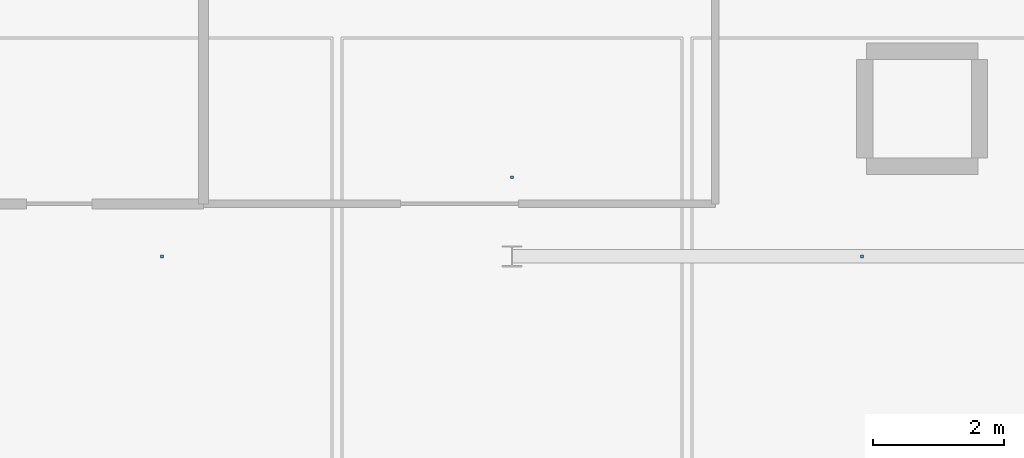
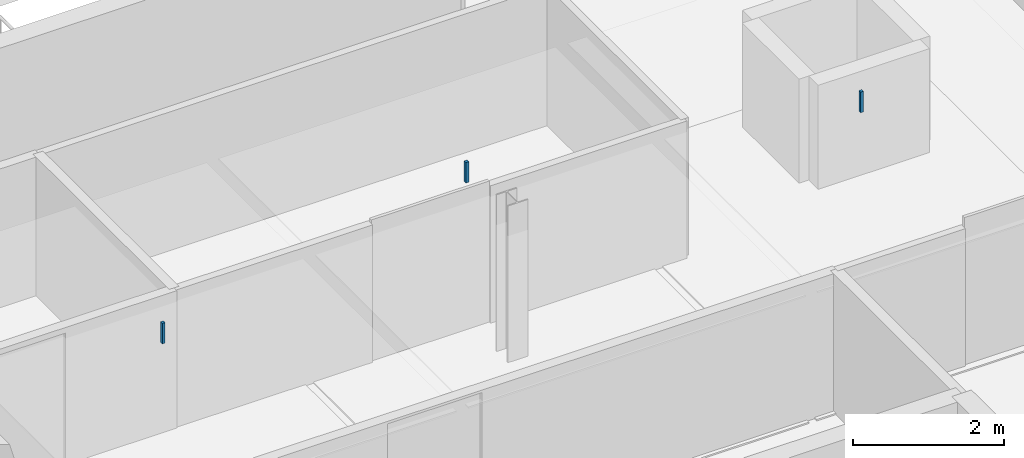
# One storey, part 15 of 16: 3 discrete accessories.
"""IFC4 building model written with IfcOpenShell, lengths in metres."""

from ifc_helpers import new_model, si_unit, direction, frame, origin, origin_2d, place, context, subcontext, project, spatial, rectangle, extrude, material, type_object, element, save


model = new_model("IFC4")

# Units and contexts
model_context = context("Model", 3, precision=1e-05, world=origin(), true_north=direction((0.0, 1.0)))
body_context = subcontext(model_context, "Body", "Model", "MODEL_VIEW")
ifc_project = project(units=[si_unit("LENGTHUNIT", "METRE"), si_unit("AREAUNIT", "SQUARE_METRE"), si_unit("VOLUMEUNIT", "CUBIC_METRE"), si_unit("PLANEANGLEUNIT", "RADIAN"), si_unit("MASSUNIT", "GRAM", prefix="KILO"), si_unit("THERMODYNAMICTEMPERATUREUNIT", "KELVIN"), si_unit("POWERUNIT", "WATT")], contexts=[model_context])

# Site, building, storey
site_placement = place(None, origin())
site = spatial("IfcSite", under=ifc_project, at=site_placement, CompositionType="ELEMENT")
building_placement = place(site_placement, origin())
building = spatial("IfcBuilding", under=site, at=building_placement, Name="Tallowbark Science Centre", CompositionType="ELEMENT")
storey_placement = place(building_placement, frame((0.0, 0.0, 23.39990234375)))
storey = spatial("IfcBuildingStorey", under=building, at=storey_placement, Name="L05", CompositionType="ELEMENT", Elevation=23.39990234375)

# Discrete accessories
ifc_material = material(Name="Galvanised Steel Grade C350L0 (350 MPa)", Category="steel")
discrete_accessory_type = type_object("IfcDiscreteAccessoryType", Name="ACC-CLG-HNG", PredefinedType="BRACKET", material=ifc_material)
for number, where, z_axis, x_axis, name in (
    (1, (116.166748046875, 90.0, 2.0595703125), (0.0, 0.0, 1.0), (1.0, 0.0, 0.0), "Ceiling Hanger Bracket L05-1140"),
    (2, (121.5, 91.205078125, 2.0595703125), (0.0, 0.0, 1.0), (1.0, 0.0, 0.0), "Ceiling Hanger Bracket L05-1141"),
    (3, (126.833251953125, 90.0, 2.0595703125), (0.0, 0.0, 1.0), (1.0, 0.0, 0.0), "Ceiling Hanger Bracket L05-1142"),
):
    element("IfcDiscreteAccessory", number, at=place(storey_placement, frame(where, z_axis=z_axis, x_axis=x_axis)), inside=storey, type_object=discrete_accessory_type, Name=name, PredefinedType="BRACKET", context=body_context, shape_type="SweptSolid", body=[
        extrude(rectangle(XDim=0.044921875, YDim=0.044921875, at=origin_2d()), origin(), (0.0, 0.0, 1.0), 0.33349609375),
    ])

save(model, "model.ifc")
